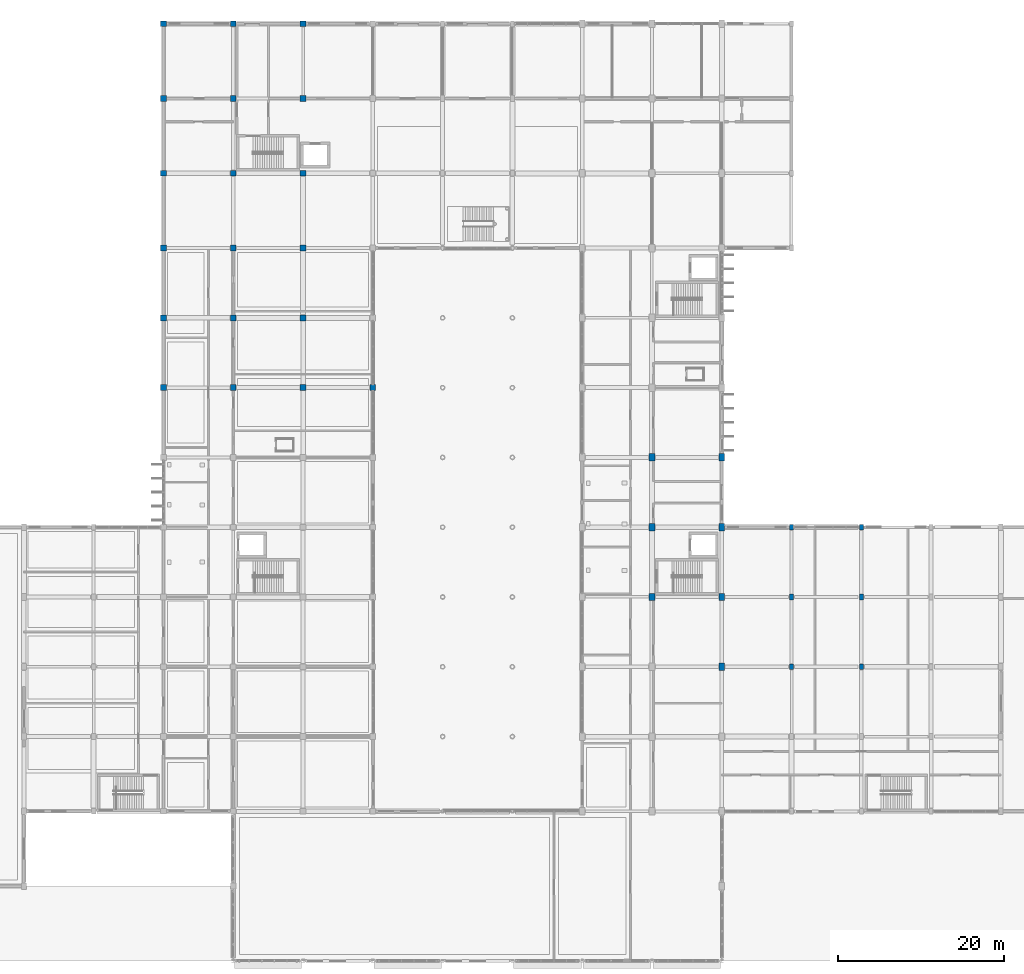
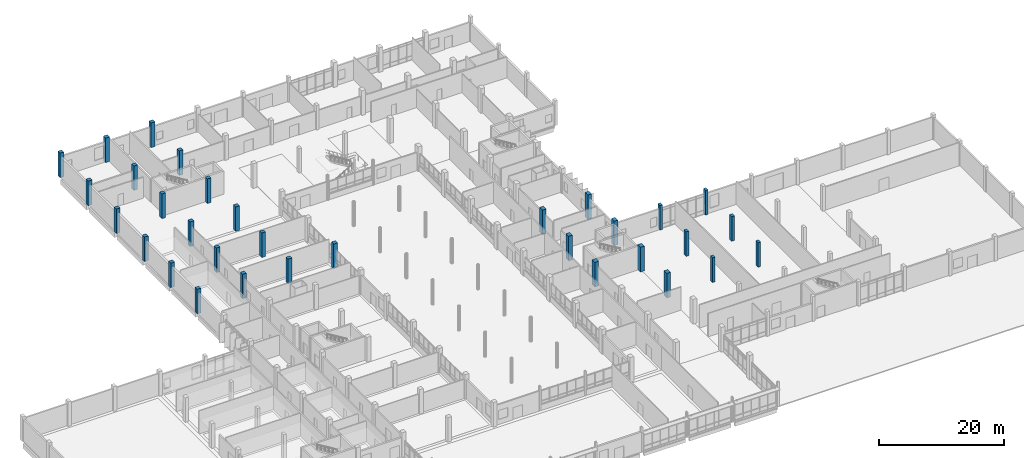
# One storey, part 7 of 95: 32 columns.
"""IFC4 building model written with IfcOpenShell, lengths in metres."""

from ifc_helpers import new_model, si_unit, direction, frame, origin, origin_2d, place, context, subcontext, project, spatial, rectangle, extrude, material, material_profile, profile_set, type_object, element, save


model = new_model("IFC4")

# Units and contexts
model_context = context("Model", 3, precision=1e-05, world=origin(), true_north=direction((0.0, 1.0)))
body_context = subcontext(model_context, "Body", "Model", "MODEL_VIEW")
ifc_project = project(units=[si_unit("LENGTHUNIT", "METRE"), si_unit("AREAUNIT", "SQUARE_METRE"), si_unit("VOLUMEUNIT", "CUBIC_METRE"), si_unit("PLANEANGLEUNIT", "RADIAN"), si_unit("MASSUNIT", "GRAM", prefix="KILO")], contexts=[model_context])

# Site, building, storey
site_placement = place(None, origin())
site = spatial("IfcSite", under=ifc_project, at=site_placement, CompositionType="ELEMENT")
building_placement = place(site_placement, origin())
building = spatial("IfcBuilding", under=site, at=building_placement, Name="Vireocrest Preparatory School", CompositionType="ELEMENT")
storey_placement = place(building_placement, origin())
storey = spatial("IfcBuildingStorey", under=building, at=storey_placement, Name="L00", CompositionType="ELEMENT", Elevation=0.0)

# Columns
ifc_material = material(Name="Concrete 45 MPa", Category="concrete")
ifc_material_profile_1 = material_profile(ifc_material, rectangle(XDim=0.699951171875, YDim=0.699951171875, at=origin_2d()), Name="RC 700x700")
ifc_profile_set_1 = profile_set([ifc_material_profile_1], Name="Concrete 45 MPa")
column_type_1 = type_object("IfcColumnType", Name="RC Column 700x700", PredefinedType="COLUMN", material=ifc_profile_set_1)
for number, where, z_axis, x_axis, name in (
    (1, (42.0, 69.0, 0.0), (0.0, 0.0, 1.0), (1.0, 0.0, 0.0), "Column C07 L00 6/J"),
    (2, (42.0, 77.39990234375, 0.0), (0.0, 0.0, 1.0), (1.0, 0.0, 0.0), "Column C07 L00 6/K"),
    (3, (42.0, 85.800048828125, 0.0), (0.0, 0.0, 1.0), (1.0, 0.0, 0.0), "Column C07 L00 6/L"),
    (4, (42.0, 94.800048828125, 0.0), (0.0, 0.0, 1.0), (1.0, 0.0, 0.0), "Column C07 L00 6/M"),
    (5, (42.0, 103.800048828125, 0.0), (0.0, 0.0, 1.0), (1.0, 0.0, 0.0), "Column C07 L00 6/N"),
    (6, (42.0, 112.800048828125, 0.0), (0.0, 0.0, 1.0), (1.0, 0.0, 0.0), "Column C07 L00 6/P"),
    (7, (50.39990234375, 69.0, 0.0), (0.0, 0.0, 1.0), (1.0, 0.0, 0.0), "Column C07 L00 7/J"),
    (8, (50.39990234375, 77.39990234375, 0.0), (0.0, 0.0, 1.0), (1.0, 0.0, 0.0), "Column C07 L00 7/K"),
    (9, (50.39990234375, 85.800048828125, 0.0), (0.0, 0.0, 1.0), (1.0, 0.0, 0.0), "Column C07 L00 7/L"),
    (10, (50.39990234375, 94.800048828125, 0.0), (0.0, 0.0, 1.0), (1.0, 0.0, 0.0), "Column C07 L00 7/M"),
    (11, (50.39990234375, 103.800048828125, 0.0), (0.0, 0.0, 1.0), (1.0, 0.0, 0.0), "Column C07 L00 7/N"),
    (12, (50.39990234375, 112.800048828125, 0.0), (0.0, 0.0, 1.0), (1.0, 0.0, 0.0), "Column C07 L00 7/P"),
    (13, (58.800048828125, 69.0, 0.0), (0.0, 0.0, 1.0), (1.0, 0.0, 0.0), "Column C07 L00 8/J"),
    (14, (58.800048828125, 77.39990234375, 0.0), (0.0, 0.0, 1.0), (1.0, 0.0, 0.0), "Column C07 L00 8/K"),
    (15, (58.800048828125, 85.800048828125, 0.0), (0.0, 0.0, 1.0), (1.0, 0.0, 0.0), "Column C07 L00 8/L"),
    (16, (58.800048828125, 94.800048828125, 0.0), (0.0, 0.0, 1.0), (1.0, 0.0, 0.0), "Column C07 L00 8/M"),
    (17, (58.800048828125, 103.800048828125, 0.0), (0.0, 0.0, 1.0), (1.0, 0.0, 0.0), "Column C07 L00 8/N"),
    (18, (58.800048828125, 112.800048828125, 0.0), (0.0, 0.0, 1.0), (1.0, 0.0, 0.0), "Column C07 L00 8/P"),
    (19, (67.199951171875, 69.0, 0.0), (0.0, 0.0, 1.0), (1.0, 0.0, 0.0), "Column C07 L00 9/J"),
):
    element("IfcColumn", number, at=place(storey_placement, frame(where, z_axis=z_axis, x_axis=x_axis)), inside=storey, type_object=column_type_1, Name=name, PredefinedType="COLUMN", context=body_context, shape_type="SweptSolid", body=[
        extrude(rectangle(XDim=0.699951171875, YDim=0.699951171875, at=origin_2d()), origin(), (0.0, 0.0, 1.0), 4.800048828125),
    ])
ifc_material_profile_2 = material_profile(ifc_material, rectangle(XDim=0.5, YDim=0.699951171875, at=origin_2d()), Name="RC 500x700")
ifc_profile_set_2 = profile_set([ifc_material_profile_2], Name="Concrete 45 MPa")
column_type_2 = type_object("IfcColumnType", Name="RC Hall Column 500x700", PredefinedType="COLUMN", material=ifc_profile_set_2)
for number, where, z_axis, x_axis, name in (
    (20, (117.60009765625, 35.39990234375, 0.0), (0.0, 0.0, 1.0), (1.0, 0.0, 0.0), "Column C12 L00 15/E"),
    (21, (117.60009765625, 43.800048828125, 0.0), (0.0, 0.0, 1.0), (1.0, 0.0, 0.0), "Column C12 L00 15/F"),
    (22, (117.60009765625, 52.199951171875, 0.0), (0.0, 0.0, 1.0), (1.0, 0.0, 0.0), "Column C12 L00 15/G"),
    (23, (126.0, 35.39990234375, 0.0), (0.0, 0.0, 1.0), (1.0, 0.0, 0.0), "Column C12 L00 16/E"),
    (24, (126.0, 43.800048828125, 0.0), (0.0, 0.0, 1.0), (1.0, 0.0, 0.0), "Column C12 L00 16/F"),
    (25, (126.0, 52.199951171875, 0.0), (0.0, 0.0, 1.0), (1.0, 0.0, 0.0), "Column C12 L00 16/G"),
):
    element("IfcColumn", number, at=place(storey_placement, frame(where, z_axis=z_axis, x_axis=x_axis)), inside=storey, type_object=column_type_2, Name=name, PredefinedType="COLUMN", context=body_context, shape_type="SweptSolid", body=[
        extrude(rectangle(XDim=0.5, YDim=0.699951171875, at=origin_2d()), origin(), (0.0, 0.0, 1.0), 4.800048828125),
    ])
ifc_material_profile_3 = material_profile(ifc_material, rectangle(XDim=0.699951171875, YDim=0.89990234375, at=origin_2d()), Name="RC 700x900")
ifc_profile_set_3 = profile_set([ifc_material_profile_3], Name="Concrete 45 MPa")
column_type_3 = type_object("IfcColumnType", Name="RC Transfer Column 700x900", PredefinedType="COLUMN", material=ifc_profile_set_3)
for number, where, z_axis, x_axis, name in (
    (26, (100.800048828125, 43.800048828125, 0.0), (0.0, 0.0, 1.0), (1.0, 0.0, 0.0), "Column C16 L00 13/F"),
    (27, (100.800048828125, 52.199951171875, 0.0), (0.0, 0.0, 1.0), (1.0, 0.0, 0.0), "Column C16 L00 13/G"),
    (28, (100.800048828125, 60.60009765625, 0.0), (0.0, 0.0, 1.0), (1.0, 0.0, 0.0), "Column C16 L00 13/H"),
    (29, (109.199951171875, 35.39990234375, 0.0), (0.0, 0.0, 1.0), (1.0, 0.0, 0.0), "Column C16 L00 14/E"),
    (30, (109.199951171875, 43.800048828125, 0.0), (0.0, 0.0, 1.0), (1.0, 0.0, 0.0), "Column C16 L00 14/F"),
    (31, (109.199951171875, 52.199951171875, 0.0), (0.0, 0.0, 1.0), (1.0, 0.0, 0.0), "Column C16 L00 14/G"),
    (32, (109.199951171875, 60.60009765625, 0.0), (0.0, 0.0, 1.0), (1.0, 0.0, 0.0), "Column C16 L00 14/H"),
):
    element("IfcColumn", number, at=place(storey_placement, frame(where, z_axis=z_axis, x_axis=x_axis)), inside=storey, type_object=column_type_3, Name=name, PredefinedType="COLUMN", context=body_context, shape_type="SweptSolid", body=[
        extrude(rectangle(XDim=0.699951171875, YDim=0.89990234375, at=origin_2d()), origin(), (0.0, 0.0, 1.0), 4.800048828125),
    ])

save(model, "model.ifc")
